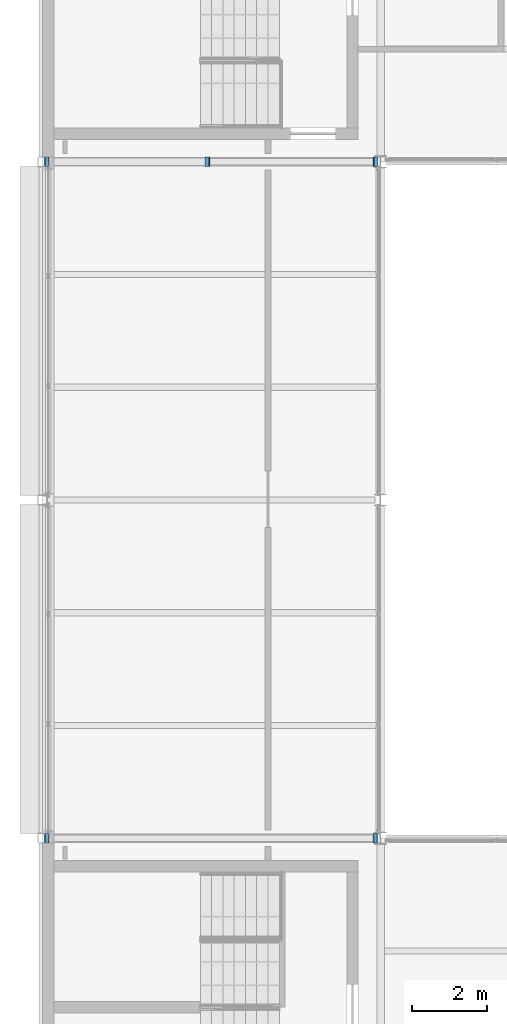
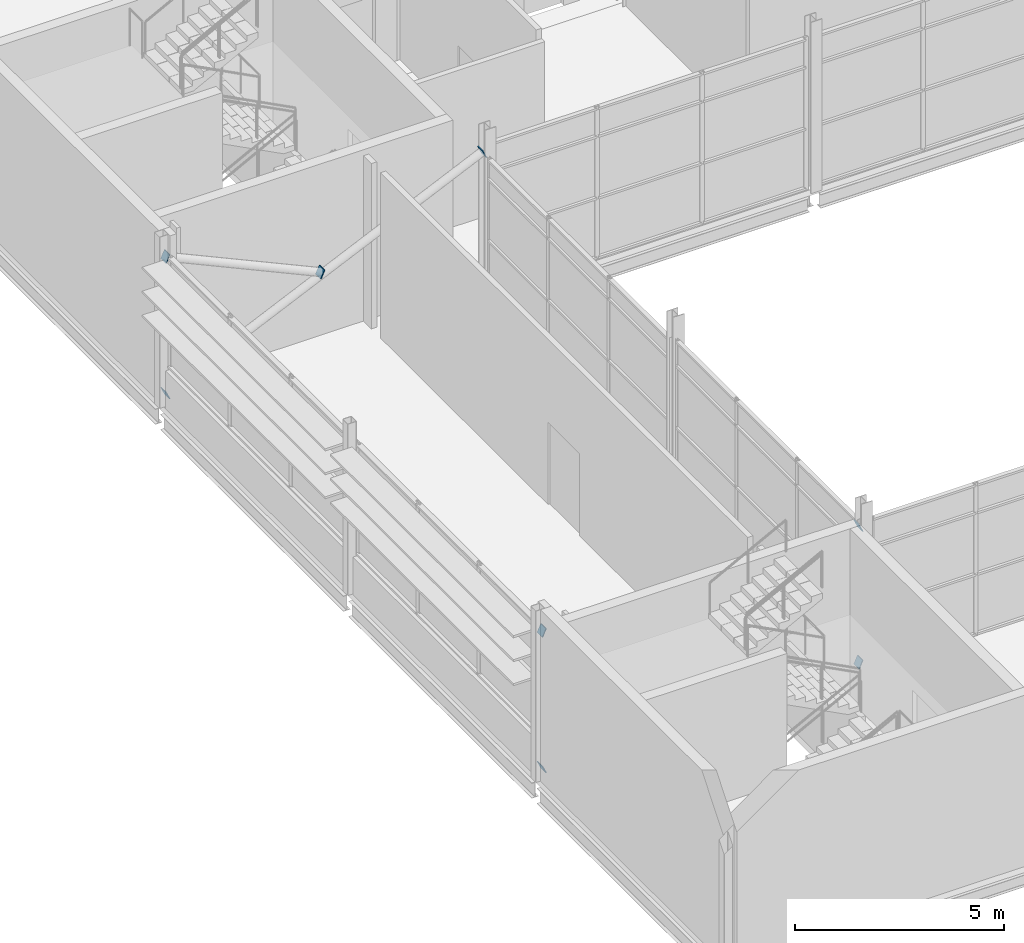
# One storey, part 56 of 61: 8 discrete accessories.
"""IFC4 building model written with IfcOpenShell, lengths in metres."""

from ifc_helpers import new_model, si_unit, direction, frame, origin, place, context, subcontext, project, spatial, polyline, outline, extrude, material, layer, layer_set, type_object, element, save


model = new_model("IFC4")

# Units and contexts
model_context = context("Model", 3, precision=1e-05, world=origin(), true_north=direction((0.0, 1.0)))
body_context = subcontext(model_context, "Body", "Model", "MODEL_VIEW")
ifc_project = project(units=[si_unit("LENGTHUNIT", "METRE"), si_unit("AREAUNIT", "SQUARE_METRE"), si_unit("VOLUMEUNIT", "CUBIC_METRE"), si_unit("PLANEANGLEUNIT", "RADIAN"), si_unit("MASSUNIT", "GRAM", prefix="KILO")], contexts=[model_context])

# Site, building, storey
site_placement = place(None, origin())
site = spatial("IfcSite", under=ifc_project, at=site_placement, CompositionType="ELEMENT")
building_placement = place(site_placement, origin())
building = spatial("IfcBuilding", under=site, at=building_placement, Name="Shorebreak Coast Museum", CompositionType="ELEMENT")
storey_placement = place(building_placement, frame((0.0, 0.0, 26.0)))
storey = spatial("IfcBuildingStorey", under=building, at=storey_placement, Name="L04", CompositionType="ELEMENT", Elevation=26.0)

# Discrete accessories
ifc_material = material(Name="Steel Grade 300", Category="steel")
ifc_layer = layer(ifc_material, 0.02490234375)
ifc_layer_set = layer_set([ifc_layer], Name="Steel Grade 300")
discrete_accessory_type = type_object("IfcDiscreteAccessoryType", Name="End plate 250 x 250 x 25", PredefinedType="BRACKET", material=ifc_layer_set)
discrete_accessory_1_placement = place(storey_placement, frame((54.1767578125, 62.875, 0.186279296875), z_axis=(0.910232642969, 0.0, 0.414097253883), x_axis=(0.0, 1.0, 0.0)))
element("IfcDiscreteAccessory", 1, at=discrete_accessory_1_placement, inside=storey, type_object=discrete_accessory_type, Name="End plate X-brace bay 01 L04 diagonal 1 end 1", PredefinedType="BRACKET", context=body_context, shape_type="SweptSolid", body=[
    extrude(outline(polyline([(0.0, 0.0), (0.25, 0.0), (0.25, 0.24997901828457428), (0.0, 0.24997901828457428), (0.0, 0.0)])), origin(), (0.0, 0.0, -1.0), 0.02490234375),
])
discrete_accessory_2_placement = place(storey_placement, frame((62.921142578125, 62.875, 4.171630859375), z_axis=(0.909864310999, 0.0, 0.41490593581), x_axis=(0.0, 1.0, 0.0)))
element("IfcDiscreteAccessory", 2, at=discrete_accessory_2_placement, inside=storey, type_object=discrete_accessory_type, Name="End plate X-brace bay 01 L04 diagonal 1 end 2", PredefinedType="BRACKET", context=body_context, shape_type="SweptSolid", body=[
    extrude(outline(polyline([(0.0, 0.0), (0.25, 0.0), (0.25, 0.2500802149829807), (0.0, 0.2500802149829807), (0.0, 0.0)])), origin(), (0.0, 0.0, -1.0), 0.02490234375),
])
discrete_accessory_3_placement = place(storey_placement, frame((62.794677734375, 63.125, 0.186279296875), z_axis=(-0.910232642969, 0.0, 0.414097253883), x_axis=(0.0, -1.0, 0.0)))
element("IfcDiscreteAccessory", 3, at=discrete_accessory_3_placement, inside=storey, type_object=discrete_accessory_type, Name="End plate X-brace bay 01 L04 diagonal 2 end 1", PredefinedType="BRACKET", context=body_context, shape_type="SweptSolid", body=[
    extrude(outline(polyline([(0.0, 0.0), (0.25, 0.0), (0.25, 0.24997901828457428), (0.0, 0.24997901828457428), (0.0, 0.0)])), origin(), (0.0, 0.0, -1.0), 0.02490234375),
])
discrete_accessory_4_placement = place(storey_placement, frame((54.05029296875, 63.125, 4.171630859375), z_axis=(-0.909864310999, 0.0, 0.41490593581), x_axis=(0.0, -1.0, 0.0)))
element("IfcDiscreteAccessory", 4, at=discrete_accessory_4_placement, inside=storey, type_object=discrete_accessory_type, Name="End plate X-brace bay 01 L04 diagonal 2 end 2", PredefinedType="BRACKET", context=body_context, shape_type="SweptSolid", body=[
    extrude(outline(polyline([(0.0, 0.0), (0.25, 0.0), (0.25, 0.2500802149829807), (0.0, 0.2500802149829807), (0.0, 0.0)])), origin(), (0.0, 0.0, -1.0), 0.02490234375),
])
discrete_accessory_5_placement = place(storey_placement, frame((54.1767578125, 80.875, 0.186279296875), z_axis=(0.910232642969, 0.0, 0.414097253883), x_axis=(0.0, 1.0, 0.0)))
element("IfcDiscreteAccessory", 5, at=discrete_accessory_5_placement, inside=storey, type_object=discrete_accessory_type, Name="End plate X-brace bay 03 L04 diagonal 1 end 1", PredefinedType="BRACKET", context=body_context, shape_type="SweptSolid", body=[
    extrude(outline(polyline([(0.0, 0.0), (0.25, 0.0), (0.25, 0.24997901828457428), (0.0, 0.24997901828457428), (0.0, 0.0)])), origin(), (0.0, 0.0, -1.0), 0.02490234375),
])
for number, where, z_axis, x_axis, name in (
    (6, (62.921142578125, 80.875, 4.171630859375), (0.909864310999, 0.0, 0.41490593581), (0.0, 1.0, 0.0), "End plate X-brace bay 03 L04 diagonal 1 end 2"),
    (7, (58.325927734375, 81.125, 2.222900390625), (-0.909864310999, 0.0, 0.41490593581), (0.0, -1.0, 0.0), "End plate X-brace bay 03 L04 diagonal 2 end 1"),
    (8, (54.05029296875, 81.125, 4.171630859375), (-0.909864310999, 0.0, 0.41490593581), (0.0, -1.0, 0.0), "End plate X-brace bay 03 L04 diagonal 2 end 2"),
):
    element("IfcDiscreteAccessory", number, at=place(storey_placement, frame(where, z_axis=z_axis, x_axis=x_axis)), inside=storey, type_object=discrete_accessory_type, Name=name, PredefinedType="BRACKET", context=body_context, shape_type="SweptSolid", body=[
        extrude(outline(polyline([(0.0, 0.0), (0.25, 0.0), (0.25, 0.2500802149829807), (0.0, 0.2500802149829807), (0.0, 0.0)])), origin(), (0.0, 0.0, -1.0), 0.02490234375),
    ])

save(model, "model.ifc")
